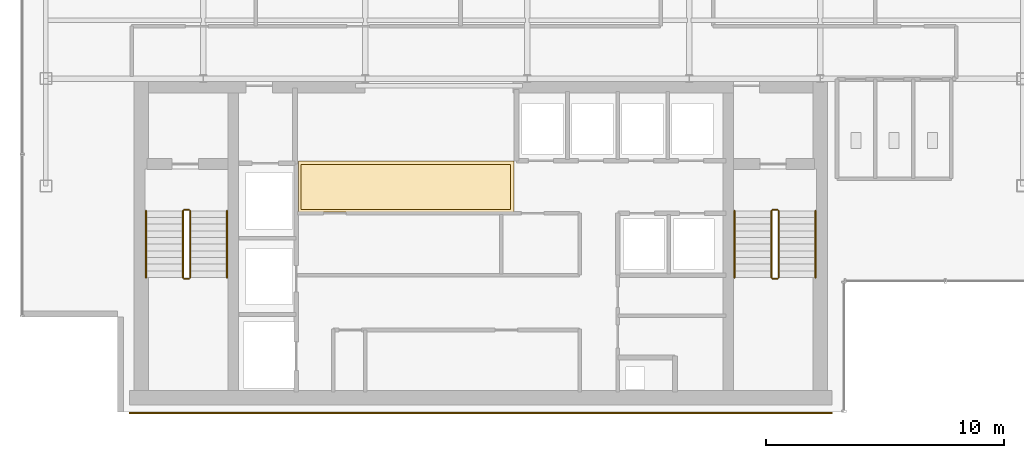
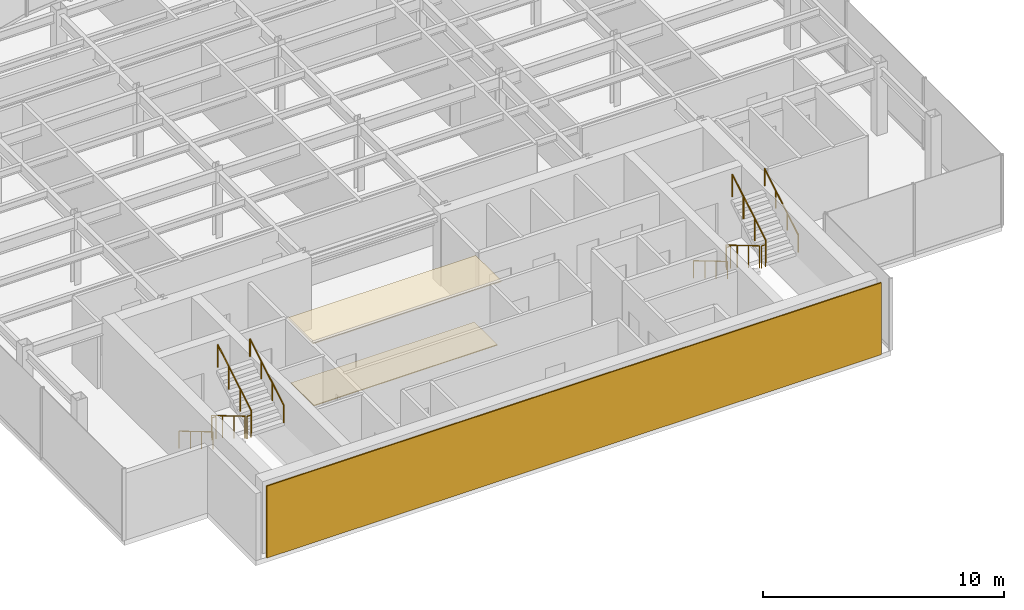
# One storey, part 20 of 22: 12 railings, 3 coverings.
"""IFC4 building model written with IfcOpenShell, lengths in metres."""

from ifc_helpers import new_model, si_unit, derived_unit, direction, frame, origin, origin_2d, place, context, subcontext, project, spatial, polyline, rectangle, circle, outline, extrude, source, transform, mapped, material, layer, layer_set, type_object, element, save


model = new_model("IFC4")

# Units and contexts
model_context = context("Model", 3, precision=1e-05, world=origin(), true_north=direction((0.0, 1.0)))
body_context = subcontext(model_context, "Body", "Model", "MODEL_VIEW")
ifc_project = project(units=[si_unit("LENGTHUNIT", "METRE"), si_unit("AREAUNIT", "SQUARE_METRE"), si_unit("VOLUMEUNIT", "CUBIC_METRE"), si_unit("PLANEANGLEUNIT", "RADIAN"), si_unit("MASSUNIT", "GRAM", prefix="KILO"), derived_unit("THERMALTRANSMITTANCEUNIT", [(si_unit("POWERUNIT", "WATT"), 1), (si_unit("LENGTHUNIT", "METRE"), -2), (si_unit("THERMODYNAMICTEMPERATUREUNIT", "KELVIN"), -1)])], contexts=[model_context])

# Site, building, storey
site_placement = place(None, origin())
site = spatial("IfcSite", under=ifc_project, at=site_placement, CompositionType="ELEMENT")
building_placement = place(site_placement, origin())
building = spatial("IfcBuilding", under=site, at=building_placement, Name="Skarnbrae Concourse Arena and Tower", CompositionType="ELEMENT")
storey_placement = place(building_placement, frame((0.0, 0.0, 225.10009765625)))
storey = spatial("IfcBuildingStorey", under=building, at=storey_placement, Name="L58", CompositionType="ELEMENT", Elevation=225.10009765625)

# Coverings
ifc_material_1 = material(Name="Mineral fibre acoustic ceiling tile", Category="other")
ifc_layer_1 = layer(ifc_material_1, 0.0400390625)
ifc_layer_set_1 = layer_set([ifc_layer_1], Name="Mineral fibre acoustic ceiling tile")
covering_type_1 = type_object("IfcCoveringType", Name="COV-CEIL-ACOUSTIC", PredefinedType="CEILING", material=ifc_layer_set_1)
covering_1_placement = place(storey_placement, frame((0.0, 0.0, 3.239990234375)))
element("IfcCovering", 1, at=covering_1_placement, inside=storey, type_object=covering_type_1, Name="L58 Lift lobby acoustic ceiling", PredefinedType="CEILING", context=body_context, shape_type="SweptSolid", body=[
    extrude(outline(polyline([(11.60009765625, 8.39990234375), (20.64990234375, 8.39990234375), (20.64990234375, 10.550048828125), (11.60009765625, 10.550048828125), (11.60009765625, 8.39990234375)])), origin(), (0.0, 0.0, 1.0), 0.039794921875),
])
ifc_material_2 = material(Name="Polished granite terrazzo flooring", Category="masonry")
ifc_layer_2 = layer(ifc_material_2, 0.0400390625)
ifc_layer_set_2 = layer_set([ifc_layer_2], Name="Polished granite terrazzo flooring")
covering_type_2 = type_object("IfcCoveringType", Name="COV-FLOOR-TERRAZZO", PredefinedType="FLOORING", material=ifc_layer_set_2)
covering_2_placement = place(storey_placement, origin())
element("IfcCovering", 2, at=covering_2_placement, inside=storey, type_object=covering_type_2, Name="L58 Lift lobby terrazzo flooring", PredefinedType="FLOORING", context=body_context, shape_type="SweptSolid", body=[
    extrude(outline(polyline([(11.699951171875, 8.5), (20.5, 8.5), (20.5, 10.39990234375), (11.699951171875, 10.39990234375), (11.699951171875, 8.5)])), origin(), (0.0, 0.0, 1.0), 0.039794921875),
])

# Railings
ifc_material_3 = material(Name="Steel CSA G40.21 350W", Category="steel")
railing_type_1 = type_object("IfcRailingType", Name="RAIL-HANDRAIL-900", PredefinedType="HANDRAIL", material=ifc_material_3)
railing_1_placement = place(storey_placement, frame((5.199951171875, 8.449951171875, 0.165771484375)))
element("IfcRailing", 3, at=railing_1_placement, inside=storey, type_object=railing_type_1, Name="L58 ST-1 stair handrail 1", PredefinedType="HANDRAIL", context=body_context, shape_type="SweptSolid", body=[
    extrude(circle(Radius=0.02392578125, at=origin_2d()), frame((0.0, 0.0, 0.8759765625), z_axis=(0.0, -0.860306154799, 0.50977771628), x_axis=(1.0, 0.0, 0.0)), (0.0, 0.0, 1.0), 3.254638671875),
    extrude(circle(Radius=0.02099609375, at=origin_2d()), origin(), (0.0, 0.0, 1.0), 0.851806640625),
    extrude(circle(Radius=0.02099609375, at=origin_2d()), frame((0.0, -0.933349609375, 0.552978515625)), (0.0, 0.0, 1.0), 0.851806640625),
    extrude(circle(Radius=0.02099609375, at=origin_2d()), frame((0.0, -1.86669921875, 1.106201171875)), (0.0, 0.0, 1.0), 0.851806640625),
    extrude(circle(Radius=0.02099609375, at=origin_2d()), frame((0.0, -2.800048828125, 1.6591796875)), (0.0, 0.0, 1.0), 0.851806640625),
])
railing_2_placement = place(storey_placement, frame((8.60009765625, 5.64990234375, 1.99072265625)))
element("IfcRailing", 4, at=railing_2_placement, inside=storey, type_object=railing_type_1, Name="L58 ST-1 stair handrail 2", PredefinedType="HANDRAIL", context=body_context, shape_type="SweptSolid", body=[
    extrude(circle(Radius=0.02392578125, at=origin_2d()), frame((0.0, 0.0, 0.8759765625), z_axis=(0.0, 0.860306154799, 0.50977771628), x_axis=(-1.0, 0.0, 0.0)), (0.0, 0.0, 1.0), 3.254638671875),
    extrude(circle(Radius=0.02099609375, at=origin_2d()), origin(), (0.0, 0.0, 1.0), 0.851806640625),
    extrude(circle(Radius=0.02099609375, at=origin_2d()), frame((0.0, 0.933349609375, 0.552978515625)), (0.0, 0.0, 1.0), 0.851806640625),
    extrude(circle(Radius=0.02099609375, at=origin_2d()), frame((0.0, 1.86669921875, 1.106201171875)), (0.0, 0.0, 1.0), 0.851806640625),
    extrude(circle(Radius=0.02099609375, at=origin_2d()), frame((0.0, 2.800048828125, 1.6591796875)), (0.0, 0.0, 1.0), 0.851806640625),
])
railing_3_placement = place(storey_placement, frame((29.89990234375, 8.449951171875, 0.165771484375)))
element("IfcRailing", 5, at=railing_3_placement, inside=storey, type_object=railing_type_1, Name="L58 ST-2 stair handrail 1", PredefinedType="HANDRAIL", context=body_context, shape_type="SweptSolid", body=[
    extrude(circle(Radius=0.02392578125, at=origin_2d()), frame((0.0, 0.0, 0.8759765625), z_axis=(0.0, -0.860306154799, 0.50977771628), x_axis=(1.0, 0.0, 0.0)), (0.0, 0.0, 1.0), 3.254638671875),
    extrude(circle(Radius=0.02099609375, at=origin_2d()), origin(), (0.0, 0.0, 1.0), 0.851806640625),
    extrude(circle(Radius=0.02099609375, at=origin_2d()), frame((0.0, -0.933349609375, 0.552978515625)), (0.0, 0.0, 1.0), 0.851806640625),
    extrude(circle(Radius=0.02099609375, at=origin_2d()), frame((0.0, -1.86669921875, 1.106201171875)), (0.0, 0.0, 1.0), 0.851806640625),
    extrude(circle(Radius=0.02099609375, at=origin_2d()), frame((0.0, -2.800048828125, 1.6591796875)), (0.0, 0.0, 1.0), 0.851806640625),
])
railing_4_placement = place(storey_placement, frame((33.300048828125, 5.64990234375, 1.99072265625)))
element("IfcRailing", 6, at=railing_4_placement, inside=storey, type_object=railing_type_1, Name="L58 ST-2 stair handrail 2", PredefinedType="HANDRAIL", context=body_context, shape_type="SweptSolid", body=[
    extrude(circle(Radius=0.02392578125, at=origin_2d()), frame((0.0, 0.0, 0.8759765625), z_axis=(0.0, 0.860306154799, 0.50977771628), x_axis=(-1.0, 0.0, 0.0)), (0.0, 0.0, 1.0), 3.254638671875),
    extrude(circle(Radius=0.02099609375, at=origin_2d()), origin(), (0.0, 0.0, 1.0), 0.851806640625),
    extrude(circle(Radius=0.02099609375, at=origin_2d()), frame((0.0, 0.933349609375, 0.552978515625)), (0.0, 0.0, 1.0), 0.851806640625),
    extrude(circle(Radius=0.02099609375, at=origin_2d()), frame((0.0, 1.86669921875, 1.106201171875)), (0.0, 0.0, 1.0), 0.851806640625),
    extrude(circle(Radius=0.02099609375, at=origin_2d()), frame((0.0, 2.800048828125, 1.6591796875)), (0.0, 0.0, 1.0), 0.851806640625),
])
railing_type_2 = type_object("IfcRailingType", Name="RAIL-STAIR-GUARD-1150", PredefinedType="GUARDRAIL", material=ifc_material_3)
railing_5_placement = place(storey_placement, frame((6.75, 8.449951171875, 0.165771484375)))
element("IfcRailing", 7, at=railing_5_placement, inside=storey, type_object=railing_type_2, Name="L58 ST-1 stair guard 1", PredefinedType="GUARDRAIL", context=body_context, shape_type="SweptSolid", body=[
    extrude(circle(Radius=0.02392578125, at=origin_2d()), frame((0.0, 0.0, 1.1259765625), z_axis=(0.0, -0.860306154799, 0.50977771628), x_axis=(1.0, 0.0, 0.0)), (0.0, 0.0, 1.0), 3.254638671875),
    extrude(circle(Radius=0.02099609375, at=origin_2d()), origin(), (0.0, 0.0, 1.0), 1.101806640625),
    extrude(circle(Radius=0.02099609375, at=origin_2d()), frame((0.0, -0.933349609375, 0.552978515625)), (0.0, 0.0, 1.0), 1.101806640625),
    extrude(circle(Radius=0.02099609375, at=origin_2d()), frame((0.0, -1.86669921875, 1.106201171875)), (0.0, 0.0, 1.0), 1.101806640625),
    extrude(circle(Radius=0.02099609375, at=origin_2d()), frame((0.0, -2.800048828125, 1.6591796875)), (0.0, 0.0, 1.0), 1.101806640625),
])
railing_6_placement = place(storey_placement, frame((6.800048828125, 5.60009765625, 1.824951171875)))
element("IfcRailing", 8, at=railing_6_placement, inside=storey, type_object=railing_type_2, Name="L58 ST-1 stair guard 2", PredefinedType="GUARDRAIL", context=body_context, shape_type="SweptSolid", body=[
    extrude(circle(Radius=0.02392578125, at=origin_2d()), frame((0.0, 0.0, 1.1259765625), z_axis=(1.0, 0.0, 0.0), x_axis=(0.0, 1.0, 0.0)), (0.0, 0.0, 1.0), 0.199951171875),
    extrude(circle(Radius=0.02099609375, at=origin_2d()), origin(), (0.0, 0.0, 1.0), 1.101806640625),
    extrude(circle(Radius=0.02099609375, at=origin_2d()), frame((0.199951171875, 0.0, 0.0)), (0.0, 0.0, 1.0), 1.101806640625),
])
railing_7_placement = place(storey_placement, frame((7.050048828125, 5.64990234375, 1.99072265625)))
element("IfcRailing", 9, at=railing_7_placement, inside=storey, type_object=railing_type_2, Name="L58 ST-1 stair guard 3", PredefinedType="GUARDRAIL", context=body_context, shape_type="SweptSolid", body=[
    extrude(circle(Radius=0.02392578125, at=origin_2d()), frame((0.0, 0.0, 1.1259765625), z_axis=(0.0, 0.860306154799, 0.50977771628), x_axis=(-1.0, 0.0, 0.0)), (0.0, 0.0, 1.0), 3.254638671875),
    extrude(circle(Radius=0.02099609375, at=origin_2d()), origin(), (0.0, 0.0, 1.0), 1.101806640625),
    extrude(circle(Radius=0.02099609375, at=origin_2d()), frame((0.0, 0.933349609375, 0.552978515625)), (0.0, 0.0, 1.0), 1.101806640625),
    extrude(circle(Radius=0.02099609375, at=origin_2d()), frame((0.0, 1.86669921875, 1.106201171875)), (0.0, 0.0, 1.0), 1.101806640625),
    extrude(circle(Radius=0.02099609375, at=origin_2d()), frame((0.0, 2.800048828125, 1.6591796875)), (0.0, 0.0, 1.0), 1.101806640625),
])
railing_8_placement = place(storey_placement, frame((6.800048828125, 8.5, 0.0)))
element("IfcRailing", 10, at=railing_8_placement, inside=storey, type_object=railing_type_2, Name="L58 ST-1 stair guard 4", PredefinedType="GUARDRAIL", context=body_context, shape_type="SweptSolid", body=[
    extrude(circle(Radius=0.02392578125, at=origin_2d()), frame((0.0, 0.0, 1.1259765625), z_axis=(1.0, 0.0, 0.0), x_axis=(0.0, 1.0, 0.0)), (0.0, 0.0, 1.0), 0.199951171875),
    extrude(circle(Radius=0.02099609375, at=origin_2d()), origin(), (0.0, 0.0, 1.0), 1.101806640625),
    extrude(circle(Radius=0.02099609375, at=origin_2d()), frame((0.199951171875, 0.0, 0.0)), (0.0, 0.0, 1.0), 1.101806640625),
])
railing_9_placement = place(storey_placement, frame((31.449951171875, 8.449951171875, 0.165771484375)))
element("IfcRailing", 11, at=railing_9_placement, inside=storey, type_object=railing_type_2, Name="L58 ST-2 stair guard 1", PredefinedType="GUARDRAIL", context=body_context, shape_type="SweptSolid", body=[
    extrude(circle(Radius=0.02392578125, at=origin_2d()), frame((0.0, 0.0, 1.1259765625), z_axis=(0.0, -0.860306154799, 0.50977771628), x_axis=(1.0, 0.0, 0.0)), (0.0, 0.0, 1.0), 3.254638671875),
    extrude(circle(Radius=0.02099609375, at=origin_2d()), origin(), (0.0, 0.0, 1.0), 1.101806640625),
    extrude(circle(Radius=0.02099609375, at=origin_2d()), frame((0.0, -0.933349609375, 0.552978515625)), (0.0, 0.0, 1.0), 1.101806640625),
    extrude(circle(Radius=0.02099609375, at=origin_2d()), frame((0.0, -1.86669921875, 1.106201171875)), (0.0, 0.0, 1.0), 1.101806640625),
    extrude(circle(Radius=0.02099609375, at=origin_2d()), frame((0.0, -2.800048828125, 1.6591796875)), (0.0, 0.0, 1.0), 1.101806640625),
])
railing_10_placement = place(storey_placement, frame((31.5, 5.60009765625, 1.824951171875)))
element("IfcRailing", 12, at=railing_10_placement, inside=storey, type_object=railing_type_2, Name="L58 ST-2 stair guard 2", PredefinedType="GUARDRAIL", context=body_context, shape_type="SweptSolid", body=[
    extrude(circle(Radius=0.02392578125, at=origin_2d()), frame((0.0, 0.0, 1.1259765625), z_axis=(1.0, 0.0, 0.0), x_axis=(0.0, 1.0, 0.0)), (0.0, 0.0, 1.0), 0.199951171875),
    extrude(circle(Radius=0.02099609375, at=origin_2d()), origin(), (0.0, 0.0, 1.0), 1.101806640625),
    extrude(circle(Radius=0.02099609375, at=origin_2d()), frame((0.199951171875, 0.0, 0.0)), (0.0, 0.0, 1.0), 1.101806640625),
])
railing_11_placement = place(storey_placement, frame((31.75, 5.64990234375, 1.99072265625)))
element("IfcRailing", 13, at=railing_11_placement, inside=storey, type_object=railing_type_2, Name="L58 ST-2 stair guard 3", PredefinedType="GUARDRAIL", context=body_context, shape_type="SweptSolid", body=[
    extrude(circle(Radius=0.02392578125, at=origin_2d()), frame((0.0, 0.0, 1.1259765625), z_axis=(0.0, 0.860306154799, 0.50977771628), x_axis=(-1.0, 0.0, 0.0)), (0.0, 0.0, 1.0), 3.254638671875),
    extrude(circle(Radius=0.02099609375, at=origin_2d()), origin(), (0.0, 0.0, 1.0), 1.101806640625),
    extrude(circle(Radius=0.02099609375, at=origin_2d()), frame((0.0, 0.933349609375, 0.552978515625)), (0.0, 0.0, 1.0), 1.101806640625),
    extrude(circle(Radius=0.02099609375, at=origin_2d()), frame((0.0, 1.86669921875, 1.106201171875)), (0.0, 0.0, 1.0), 1.101806640625),
    extrude(circle(Radius=0.02099609375, at=origin_2d()), frame((0.0, 2.800048828125, 1.6591796875)), (0.0, 0.0, 1.0), 1.101806640625),
])
railing_12_placement = place(storey_placement, frame((31.5, 8.5, 0.0)))
element("IfcRailing", 14, at=railing_12_placement, inside=storey, type_object=railing_type_2, Name="L58 ST-2 stair guard 4", PredefinedType="GUARDRAIL", context=body_context, shape_type="SweptSolid", body=[
    extrude(circle(Radius=0.02392578125, at=origin_2d()), frame((0.0, 0.0, 1.1259765625), z_axis=(1.0, 0.0, 0.0), x_axis=(0.0, 1.0, 0.0)), (0.0, 0.0, 1.0), 0.199951171875),
    extrude(circle(Radius=0.02099609375, at=origin_2d()), origin(), (0.0, 0.0, 1.0), 1.101806640625),
    extrude(circle(Radius=0.02099609375, at=origin_2d()), frame((0.199951171875, 0.0, 0.0)), (0.0, 0.0, 1.0), 1.101806640625),
])

# Covering
ifc_material_4 = material(Name="Bronze anodised aluminium 6063-T6", Category="aluminium")
ifc_layer_3 = layer(ifc_material_4, 0.06005859375)
ifc_layer_set_3 = layer_set([ifc_layer_3], Name="Bronze anodised aluminium 6063-T6")
covering_type_3 = type_object("IfcCoveringType", Name="COV-CLAD-BRONZE-60", PredefinedType="CLADDING", material=ifc_layer_set_3)
shared_shape = source(origin(), body_context, "Body", "SweptSolid", [
    extrude(rectangle(XDim=29.5, YDim=0.06005859375, at=origin_2d()), origin(), (0.0, 0.0, 1.0), 3.64990234375),
])
covering_3_placement = place(storey_placement, frame((19.25, -0.030029296875, 0.0), z_axis=(0.0, 0.0, 1.0), x_axis=(1.0, 0.0, 0.0)))
element("IfcCovering", 15, at=covering_3_placement, inside=storey, type_object=covering_type_3, Name="L58 Rear-core plumb spine bronze rainscreen panel", PredefinedType="CLADDING", context=body_context, shape_type="MappedRepresentation", body=[
    mapped(shared_shape, transform((0.0, 0.0, 0.0))),
])

save(model, "model.ifc")
